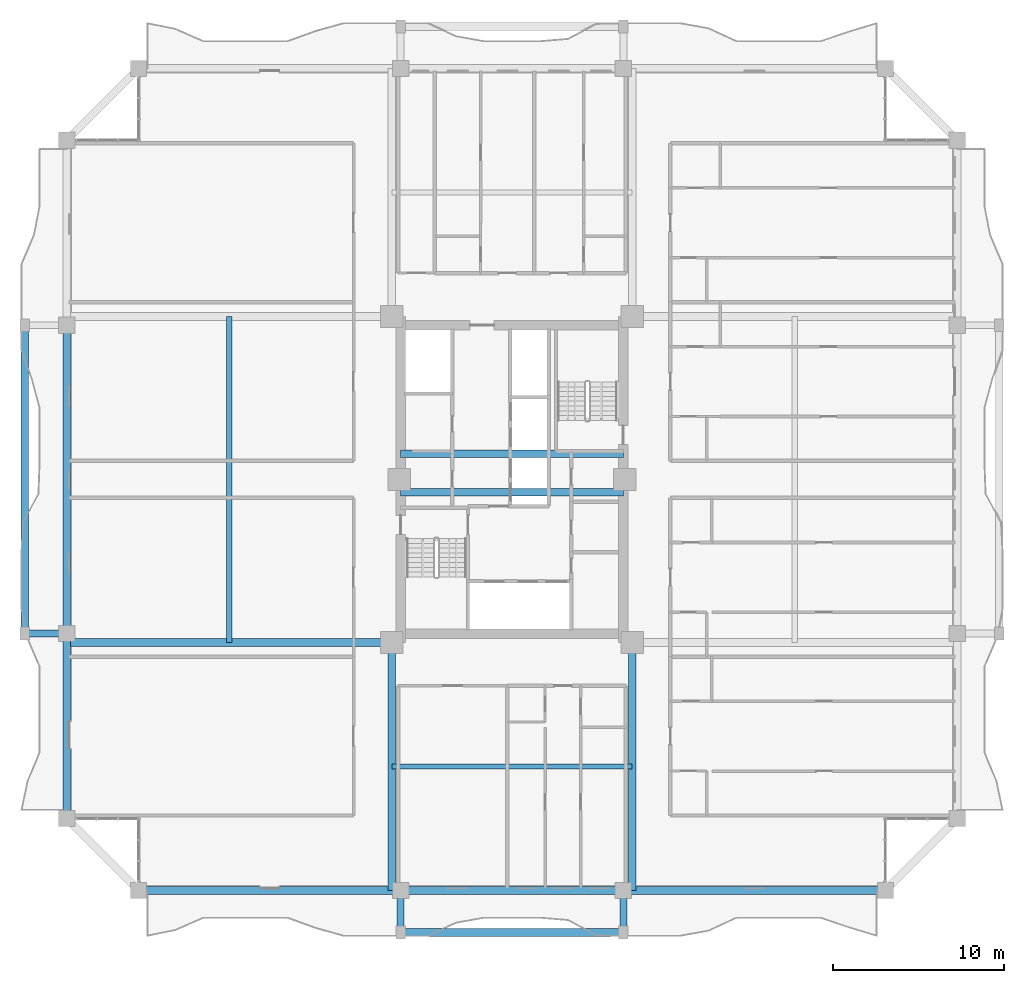
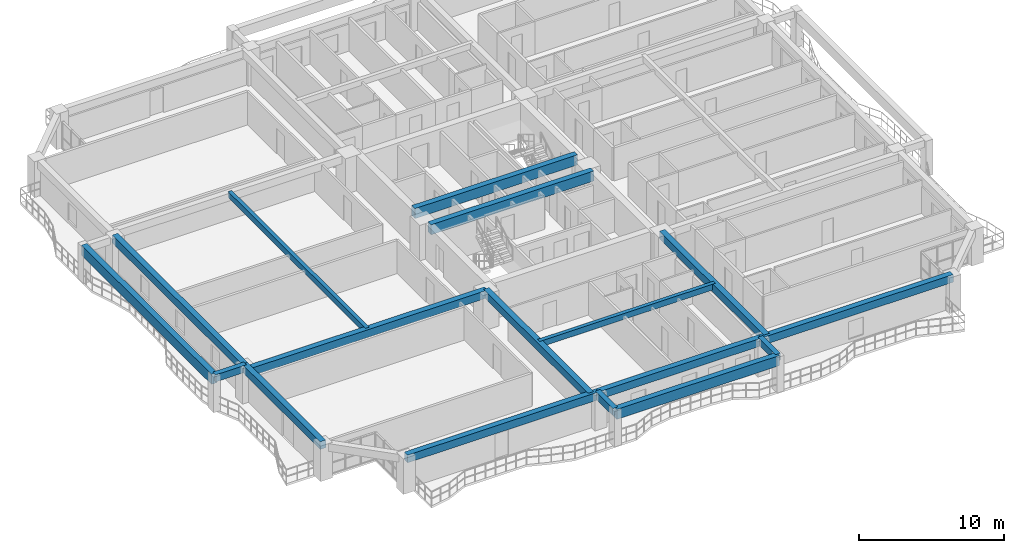
# One storey, part 3 of 24: 17 beams.
"""IFC4 building model written with IfcOpenShell, lengths in metres."""

from ifc_helpers import new_model, si_unit, direction, frame, origin, origin_2d, place, context, subcontext, project, spatial, rectangle, extrude, source, transform, mapped, material, material_profile, profile_set, type_object, element, save


model = new_model("IFC4")

# Units and contexts
model_context = context("Model", 3, precision=1e-05, world=origin(), true_north=direction((0.0, 1.0)))
body_context = subcontext(model_context, "Body", "Model", "MODEL_VIEW")
ifc_project = project(units=[si_unit("LENGTHUNIT", "METRE"), si_unit("AREAUNIT", "SQUARE_METRE"), si_unit("VOLUMEUNIT", "CUBIC_METRE"), si_unit("PLANEANGLEUNIT", "RADIAN"), si_unit("MASSUNIT", "GRAM", prefix="KILO")], contexts=[model_context])

# Site, building, storey
site_placement = place(None, origin())
site = spatial("IfcSite", under=ifc_project, at=site_placement, CompositionType="ELEMENT")
building_placement = place(site_placement, origin())
building = spatial("IfcBuilding", under=site, at=building_placement, Name="Saelheon Loggia Tower", CompositionType="ELEMENT")
storey_placement = place(building_placement, frame((0.0, 0.0, 98.85009765625)))
storey = spatial("IfcBuildingStorey", under=building, at=storey_placement, Name="L31", CompositionType="ELEMENT", Elevation=98.85009765625)

# Beams
ifc_material_1 = material(Name="Concrete C50/60", Category="concrete")
ifc_material_profile_1 = material_profile(ifc_material_1, rectangle(XDim=0.449951171875, YDim=0.85009765625, at=origin_2d()), Name="RC-450x850")
ifc_profile_set_1 = profile_set([ifc_material_profile_1], Name="Concrete C50/60")
beam_type_1 = type_object("IfcBeamType", Name="Beam_CoreLintel_RC450x850", PredefinedType="LINTEL", material=ifc_profile_set_1)
shared_shape_1 = source(origin(), body_context, "Body", "SweptSolid", [
    extrude(rectangle(XDim=0.449951171875, YDim=0.85009765625, at=origin_2d()), origin(), (0.0, 0.0, 1.0), 13.0),
])
for number, where, z_axis, x_axis, name in (
    (1, (31.5, 26.25, 2.574951171875), (1.0, 0.0, 0.0), (0.0, 1.0, 0.0), "L31 Core Coupling Lintel 1"),
    (2, (31.5, 28.5, 2.574951171875), (1.0, 0.0, 0.0), (0.0, 1.0, 0.0), "L31 Core Coupling Lintel 2"),
):
    element("IfcBeam", number, at=place(storey_placement, frame(where, z_axis=z_axis, x_axis=x_axis)), inside=storey, type_object=beam_type_1, Name=name, PredefinedType="LINTEL", context=body_context, shape_type="MappedRepresentation", body=[
        mapped(shared_shape_1, transform((0.0, 0.0, 0.0), scale=1.0)),
    ])
ifc_material_2 = material(Name="Precast Concrete C45/55", Category="concrete")
ifc_material_profile_2 = material_profile(ifc_material_2, rectangle(XDim=0.449951171875, YDim=0.85009765625, at=origin_2d()), Name="RC-450x850")
ifc_profile_set_2 = profile_set([ifc_material_profile_2], Name="Precast Concrete C45/55")
beam_type_2 = type_object("IfcBeamType", Name="Beam_LoggiaSpandrel_RC450x850", PredefinedType="SPANDREL", material=ifc_profile_set_2)
beam_1_placement = place(storey_placement, frame((31.5, 0.550048828125, 2.574951171875), z_axis=(1.0, 0.0, 0.0), x_axis=(0.0, 1.0, 0.0)))
element("IfcBeam", 3, at=beam_1_placement, inside=storey, type_object=beam_type_2, Name="L31 Loggia Spandrel Beam S", PredefinedType="SPANDREL", context=body_context, shape_type="MappedRepresentation", body=[
    mapped(shared_shape_1, transform((0.0, 0.0, 0.0), scale=1.0)),
])
ifc_material_profile_3 = material_profile(ifc_material_2, rectangle(XDim=0.39990234375, YDim=0.60009765625, at=origin_2d()), Name="RC-400x600")
ifc_profile_set_3 = profile_set([ifc_material_profile_3], Name="Precast Concrete C45/55")
beam_type_3 = type_object("IfcBeamType", Name="Beam_LoggiaTie_RC400x600", PredefinedType="BEAM", material=ifc_profile_set_3)
shared_shape_2 = source(origin(), body_context, "Body", "SweptSolid", [
    extrude(rectangle(XDim=0.39990234375, YDim=0.60009765625, at=origin_2d()), origin(), (0.0, 0.0, 1.0), 2.449951171875),
])
for number, where, z_axis, x_axis, name in (
    (4, (31.5, 3.0, 2.699951171875), (0.0, -1.0, 0.0), (1.0, 0.0, 0.0), "L31 Loggia Frame Tie Beam LP-S1"),
    (5, (44.5, 3.0, 2.699951171875), (0.0, -1.0, 0.0), (1.0, 0.0, 0.0), "L31 Loggia Frame Tie Beam LP-S2"),
    (6, (12.0, 18.0, 2.699951171875), (-1.0, 0.0, 0.0), (0.0, -1.0, 0.0), "L31 Loggia Frame Tie Beam LP-W1"),
):
    element("IfcBeam", number, at=place(storey_placement, frame(where, z_axis=z_axis, x_axis=x_axis)), inside=storey, type_object=beam_type_3, Name=name, PredefinedType="BEAM", context=body_context, shape_type="MappedRepresentation", body=[
        mapped(shared_shape_2, transform((0.0, 0.0, 0.0), scale=1.0)),
    ])
shared_shape_3 = source(origin(), body_context, "Body", "SweptSolid", [
    extrude(rectangle(XDim=0.449951171875, YDim=0.85009765625, at=origin_2d()), origin(), (0.0, 0.0, 1.0), 18.0),
])
beam_2_placement = place(storey_placement, frame((9.550048828125, 18.0, 2.574951171875), z_axis=(0.0, 1.0, 0.0), x_axis=(-1.0, 0.0, 0.0)))
element("IfcBeam", 7, at=beam_2_placement, inside=storey, type_object=beam_type_2, Name="L31 Loggia Spandrel Beam W", PredefinedType="SPANDREL", context=body_context, shape_type="MappedRepresentation", body=[
    mapped(shared_shape_3, transform((0.0, 0.0, 0.0), scale=1.0)),
])
ifc_material_3 = material(Name="Concrete C40/50", Category="concrete")
ifc_material_profile_4 = material_profile(ifc_material_3, rectangle(XDim=0.449951171875, YDim=0.64990234375, at=origin_2d()), Name="RC-450x650")
ifc_profile_set_4 = profile_set([ifc_material_profile_4], Name="Concrete C40/50")
beam_type_4 = type_object("IfcBeamType", Name="Beam_PerimTower_RC450x650", PredefinedType="BEAM", material=ifc_profile_set_4)
shared_shape_4 = source(origin(), body_context, "Body", "SweptSolid", [
    extrude(rectangle(XDim=0.449951171875, YDim=0.64990234375, at=origin_2d()), origin(), (0.0, 0.0, 1.0), 15.300048828125),
])
for number, where, z_axis, x_axis, name in (
    (8, (16.199951171875, 3.0, 2.6748046875), (1.0, 0.0, 0.0), (0.0, 1.0, 0.0), "L31 Perimeter Frame Girder 01"),
    (9, (44.5, 3.0, 2.6748046875), (1.0, 0.0, 0.0), (0.0, 1.0, 0.0), "L31 Perimeter Frame Girder 03"),
):
    element("IfcBeam", number, at=place(storey_placement, frame(where, z_axis=z_axis, x_axis=x_axis)), inside=storey, type_object=beam_type_4, Name=name, PredefinedType="BEAM", context=body_context, shape_type="MappedRepresentation", body=[
        mapped(shared_shape_4, transform((0.0, 0.0, 0.0), scale=1.0)),
    ])
shared_shape_5 = source(origin(), body_context, "Body", "SweptSolid", [
    extrude(rectangle(XDim=0.449951171875, YDim=0.64990234375, at=origin_2d()), origin(), (0.0, 0.0, 1.0), 13.0),
])
beam_3_placement = place(storey_placement, frame((31.5, 3.0, 2.6748046875), z_axis=(1.0, 0.0, 0.0), x_axis=(0.0, 1.0, 0.0)))
element("IfcBeam", 10, at=beam_3_placement, inside=storey, type_object=beam_type_4, Name="L31 Perimeter Frame Girder 02", PredefinedType="BEAM", context=body_context, shape_type="MappedRepresentation", body=[
    mapped(shared_shape_5, transform((0.0, 0.0, 0.0), scale=1.0)),
])
shared_shape_6 = source(origin(), body_context, "Body", "SweptSolid", [
    extrude(rectangle(XDim=0.449951171875, YDim=0.64990234375, at=origin_2d()), origin(), (0.0, 0.0, 1.0), 10.800048828125),
])
beam_4_placement = place(storey_placement, frame((12.0, 18.0, 2.6748046875), z_axis=(0.0, -1.0, 0.0), x_axis=(1.0, 0.0, 0.0)))
element("IfcBeam", 11, at=beam_4_placement, inside=storey, type_object=beam_type_4, Name="L31 Perimeter Frame Girder 15", PredefinedType="BEAM", context=body_context, shape_type="MappedRepresentation", body=[
    mapped(shared_shape_6, transform((0.0, 0.0, 0.0), scale=1.0)),
])
shared_shape_7 = source(origin(), body_context, "Body", "SweptSolid", [
    extrude(rectangle(XDim=0.449951171875, YDim=0.64990234375, at=origin_2d()), origin(), (0.0, 0.0, 1.0), 18.0),
])
beam_5_placement = place(storey_placement, frame((12.0, 36.0, 2.6748046875), z_axis=(0.0, -1.0, 0.0), x_axis=(1.0, 0.0, 0.0)))
element("IfcBeam", 12, at=beam_5_placement, inside=storey, type_object=beam_type_4, Name="L31 Perimeter Frame Girder 14", PredefinedType="BEAM", context=body_context, shape_type="MappedRepresentation", body=[
    mapped(shared_shape_7, transform((0.0, 0.0, 0.0), scale=1.0)),
])
ifc_material_profile_5 = material_profile(ifc_material_3, rectangle(XDim=0.449951171875, YDim=0.64990234375, at=origin_2d()), Name="RC-450x650")
ifc_profile_set_5 = profile_set([ifc_material_profile_5], Name="Concrete C40/50")
beam_type_5 = type_object("IfcBeamType", Name="Beam_TowerGirder_RC450x650", PredefinedType="BEAM", material=ifc_profile_set_5)
shared_shape_8 = source(origin(), body_context, "Body", "SweptSolid", [
    extrude(rectangle(XDim=0.449951171875, YDim=0.64990234375, at=origin_2d()), origin(), (0.0, 0.0, 1.0), 14.47998046875),
])
for number, where, z_axis, x_axis, name in (
    (13, (30.97998046875, 17.47998046875, 2.6748046875), (0.0, -1.0, 0.0), (1.0, 0.0, 0.0), "L31 Radial Floor Girder RAD-SW-S"),
    (14, (45.02001953125, 17.47998046875, 2.6748046875), (0.0, -1.0, 0.0), (1.0, 0.0, 0.0), "L31 Radial Floor Girder RAD-SE-S"),
):
    element("IfcBeam", number, at=place(storey_placement, frame(where, z_axis=z_axis, x_axis=x_axis)), inside=storey, type_object=beam_type_5, Name=name, PredefinedType="BEAM", context=body_context, shape_type="MappedRepresentation", body=[
        mapped(shared_shape_8, transform((0.0, 0.0, 0.0), scale=1.0)),
    ])
shared_shape_9 = source(origin(), body_context, "Body", "SweptSolid", [
    extrude(rectangle(XDim=0.449951171875, YDim=0.64990234375, at=origin_2d()), origin(), (0.0, 0.0, 1.0), 18.97998046875),
])
beam_6_placement = place(storey_placement, frame((30.97998046875, 17.47998046875, 2.6748046875), z_axis=(-1.0, 0.0, 0.0), x_axis=(0.0, -1.0, 0.0)))
element("IfcBeam", 15, at=beam_6_placement, inside=storey, type_object=beam_type_5, Name="L31 Radial Floor Girder RAD-SW-W", PredefinedType="BEAM", context=body_context, shape_type="MappedRepresentation", body=[
    mapped(shared_shape_9, transform((0.0, 0.0, 0.0), scale=1.0)),
])
ifc_material_profile_6 = material_profile(ifc_material_3, rectangle(XDim=0.300048828125, YDim=0.5, at=origin_2d()), Name="RC-300x500")
ifc_profile_set_6 = profile_set([ifc_material_profile_6], Name="Concrete C40/50")
beam_type_6 = type_object("IfcBeamType", Name="Beam_Joist_RC300x500", PredefinedType="JOIST", material=ifc_profile_set_6)
shared_shape_10 = source(origin(), body_context, "Body", "SweptSolid", [
    extrude(rectangle(XDim=0.300048828125, YDim=0.5, at=origin_2d()), origin(), (0.0, 0.0, 1.0), 14.0400390625),
])
beam_7_placement = place(storey_placement, frame((30.97998046875, 10.239990234375, 2.75), z_axis=(1.0, 0.0, 0.0), x_axis=(0.0, 1.0, 0.0)))
element("IfcBeam", 16, at=beam_7_placement, inside=storey, type_object=beam_type_6, Name="L31 South Floor Joist", PredefinedType="JOIST", context=body_context, shape_type="MappedRepresentation", body=[
    mapped(shared_shape_10, transform((0.0, 0.0, 0.0), scale=1.0)),
])
shared_shape_11 = source(origin(), body_context, "Body", "SweptSolid", [
    extrude(rectangle(XDim=0.300048828125, YDim=0.5, at=origin_2d()), origin(), (0.0, 0.0, 1.0), 19.0400390625),
])
beam_8_placement = place(storey_placement, frame((21.489990234375, 17.47998046875, 2.75), z_axis=(0.0, 1.0, 0.0), x_axis=(-1.0, 0.0, 0.0)))
element("IfcBeam", 17, at=beam_8_placement, inside=storey, type_object=beam_type_6, Name="L31 West Floor Joist", PredefinedType="JOIST", context=body_context, shape_type="MappedRepresentation", body=[
    mapped(shared_shape_11, transform((0.0, 0.0, 0.0), scale=1.0)),
])

save(model, "model.ifc")
